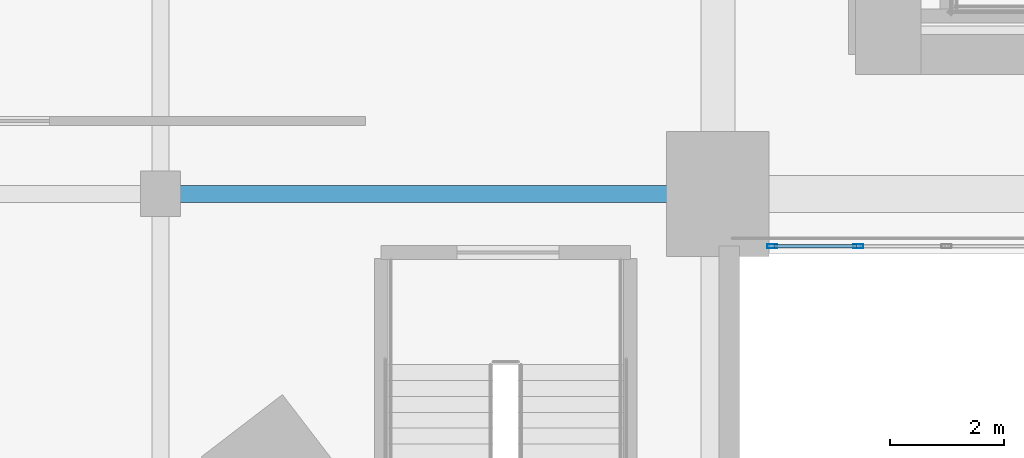
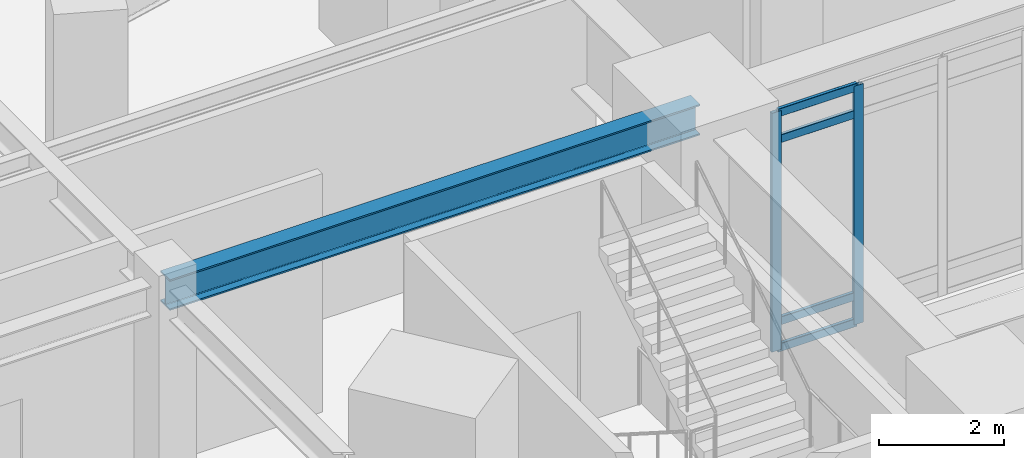
# One storey, part 2 of 25: 6 members, 1 beam, 1 element without a shape of its own.
"""IFC4 building model written with IfcOpenShell, lengths in metres."""

from ifc_helpers import new_model, si_unit, direction, frame, origin, origin_2d, place, context, subcontext, project, spatial, hollow_rectangle, i_section, extrude, material, layer, layer_set, material_profile, profile_set, type_object, element, aggregate, save


model = new_model("IFC4")

# Units and contexts
model_context = context("Model", 3, precision=1e-05, world=origin(), true_north=direction((0.0, 1.0)))
body_context = subcontext(model_context, "Body", "Model", "MODEL_VIEW")
ifc_project = project(units=[si_unit("LENGTHUNIT", "METRE"), si_unit("AREAUNIT", "SQUARE_METRE"), si_unit("VOLUMEUNIT", "CUBIC_METRE"), si_unit("PLANEANGLEUNIT", "RADIAN"), si_unit("MASSUNIT", "GRAM", prefix="KILO")], contexts=[model_context])

# Site, building, storey
site_placement = place(None, origin())
site = spatial("IfcSite", under=ifc_project, at=site_placement, CompositionType="ELEMENT")
building_placement = place(site_placement, origin())
building = spatial("IfcBuilding", under=site, at=building_placement, Name="Ndelora Gate Hotel", CompositionType="ELEMENT")
storey_placement = place(building_placement, frame((0.0, 0.0, 11.0)))
storey = spatial("IfcBuildingStorey", under=building, at=storey_placement, Name="L02", CompositionType="ELEMENT", Elevation=11.0)

# Beam
ifc_material_1 = material(Name="Steel S355", Category="steel")
ifc_material_profile_1 = material_profile(ifc_material_1, i_section(OverallWidth=0.300048828125, OverallDepth=0.60009765625, WebThickness=0.015380859375, FlangeThickness=0.030029296875, FilletRadius=0.027099609375, at=origin_2d()), Name="HEB 600")
ifc_profile_set_1 = profile_set([ifc_material_profile_1], Name="Steel S355")
beam_type = type_object("IfcBeamType", Name="BM-POD-600", PredefinedType="BEAM", material=ifc_profile_set_1)
beam_placement = place(storey_placement, frame((-20.800048828125, -9.39990234375, 4.360107421875), z_axis=(1.0, 0.0, 0.0), x_axis=(0.0, 1.0, 0.0)))
element("IfcBeam", 1, at=beam_placement, inside=storey, type_object=beam_type, Name="L02 Podium Transverse Girder Y=-9.4", PredefinedType="BEAM", context=body_context, shape_type="SweptSolid", body=[
    extrude(i_section(OverallWidth=0.300048828125, OverallDepth=0.60009765625, WebThickness=0.015380859375, FlangeThickness=0.030029296875, FilletRadius=0.027099609375, at=origin_2d()), origin(), (0.0, 0.0, 1.0), 9.800048828125),
])

# Curtain wall, members
ifc_material_2 = material(Name="Bronze Anodised Unitised Aluminium and Low-E Glass", Category="aluminium")
ifc_layer = layer(ifc_material_2, 0.239990234375)
ifc_layer_set = layer_set([ifc_layer], Name="Bronze Anodised Unitised Aluminium and Low-E Glass")
curtain_wall_type = type_object("IfcCurtainWallType", Name="CW-SYS-1", PredefinedType="NOTDEFINED", material=ifc_layer_set)
curtain_wall_placement = place(storey_placement, origin())
curtain_wall = element("IfcCurtainWall", 2, at=curtain_wall_placement, inside=storey, type_object=curtain_wall_type, Name="L02 South Portal Arch Concourse Curtain Wall CW1", PredefinedType="NOTDEFINED")
ifc_material_3 = material(Name="Bronze Anodised Aluminium 6063-T6", Category="aluminium")
ifc_material_profile_2 = material_profile(ifc_material_3, hollow_rectangle(XDim=0.070068359375, YDim=0.179931640625, WallThickness=0.0048828125, InnerFilletRadius=0.0048828125, OuterFilletRadius=0.010009765625, at=origin_2d()), Name="ALU 180x70x5")
ifc_profile_set_2 = profile_set([ifc_material_profile_2], Name="Bronze Anodised Aluminium 6063-T6")
member_type_1 = type_object("IfcMemberType", Name="MB-CW-MUL180", PredefinedType="MULLION", material=ifc_profile_set_2)
member_1_placement = place(storey_placement, frame((-10.044921875, -10.320068359375, -0.00390625), z_axis=(0.0, 0.0, 1.0), x_axis=(0.0, 1.0, 0.0)))
member_1 = element("IfcMember", 3, at=member_1_placement, type_object=member_type_1, Name="CW1 mullion 1", PredefinedType="MULLION", context=body_context, shape_type="SweptSolid", body=[
    extrude(hollow_rectangle(XDim=0.070068359375, YDim=0.179931640625, WallThickness=0.0048828125, InnerFilletRadius=0.0048828125, OuterFilletRadius=0.010009765625, at=origin_2d()), origin(), (0.0, 0.0, 1.0), 4.66796875),
])
member_2_placement = place(storey_placement, frame((-8.529296875, -10.320068359375, -0.00390625), z_axis=(0.0, 0.0, 1.0), x_axis=(0.0, 1.0, 0.0)))
member_2 = element("IfcMember", 4, at=member_2_placement, type_object=member_type_1, Name="CW1 mullion 2", PredefinedType="MULLION", context=body_context, shape_type="SweptSolid", body=[
    extrude(hollow_rectangle(XDim=0.070068359375, YDim=0.179931640625, WallThickness=0.0048828125, InnerFilletRadius=0.0048828125, OuterFilletRadius=0.010009765625, at=origin_2d()), origin(), (0.0, 0.0, 1.0), 4.66796875),
])
ifc_material_profile_3 = material_profile(ifc_material_3, hollow_rectangle(XDim=0.06494140625, YDim=0.159912109375, WallThickness=0.00390625, InnerFilletRadius=0.00390625, OuterFilletRadius=0.008056640625, at=origin_2d()), Name="ALU 160x65x4")
ifc_profile_set_3 = profile_set([ifc_material_profile_3], Name="Bronze Anodised Aluminium 6063-T6")
member_type_2 = type_object("IfcMemberType", Name="MB-CW-TRN150", PredefinedType="USERDEFINED", material=ifc_profile_set_3)
member_3_placement = place(storey_placement, frame((-10.01611328125, -10.320068359375, 0.032470703125), z_axis=(1.0, 0.0, 0.0), x_axis=(0.0, 1.0, 0.0)))
member_3 = element("IfcMember", 5, at=member_3_placement, type_object=member_type_2, Name="CW1 transom 1.1", ObjectType="TRANSOM", PredefinedType="USERDEFINED", context=body_context, shape_type="SweptSolid", body=[
    extrude(hollow_rectangle(XDim=0.06494140625, YDim=0.159912109375, WallThickness=0.00390625, InnerFilletRadius=0.00390625, OuterFilletRadius=0.008056640625, at=origin_2d()), origin(), (0.0, 0.0, 1.0), 1.457763671875),
])
member_4_placement = place(storey_placement, frame((-10.01611328125, -10.320068359375, 0.550048828125), z_axis=(1.0, 0.0, 0.0), x_axis=(0.0, 1.0, 0.0)))
member_4 = element("IfcMember", 6, at=member_4_placement, type_object=member_type_2, Name="CW1 transom 1.2", ObjectType="TRANSOM", PredefinedType="USERDEFINED", context=body_context, shape_type="SweptSolid", body=[
    extrude(hollow_rectangle(XDim=0.06494140625, YDim=0.159912109375, WallThickness=0.00390625, InnerFilletRadius=0.00390625, OuterFilletRadius=0.008056640625, at=origin_2d()), origin(), (0.0, 0.0, 1.0), 1.457763671875),
])
member_5_placement = place(storey_placement, frame((-10.01611328125, -10.320068359375, 4.110107421875), z_axis=(1.0, 0.0, 0.0), x_axis=(0.0, 1.0, 0.0)))
member_5 = element("IfcMember", 7, at=member_5_placement, type_object=member_type_2, Name="CW1 transom 1.3", ObjectType="TRANSOM", PredefinedType="USERDEFINED", context=body_context, shape_type="SweptSolid", body=[
    extrude(hollow_rectangle(XDim=0.06494140625, YDim=0.159912109375, WallThickness=0.00390625, InnerFilletRadius=0.00390625, OuterFilletRadius=0.008056640625, at=origin_2d()), origin(), (0.0, 0.0, 1.0), 1.457763671875),
])
member_6_placement = place(storey_placement, frame((-10.01611328125, -10.320068359375, 4.62744140625), z_axis=(1.0, 0.0, 0.0), x_axis=(0.0, 1.0, 0.0)))
member_6 = element("IfcMember", 8, at=member_6_placement, type_object=member_type_2, Name="CW1 transom 1.4", ObjectType="TRANSOM", PredefinedType="USERDEFINED", context=body_context, shape_type="SweptSolid", body=[
    extrude(hollow_rectangle(XDim=0.06494140625, YDim=0.159912109375, WallThickness=0.00390625, InnerFilletRadius=0.00390625, OuterFilletRadius=0.008056640625, at=origin_2d()), origin(), (0.0, 0.0, 1.0), 1.457763671875),
])
aggregate(curtain_wall, [member_1, member_2, member_3, member_4, member_5, member_6])

save(model, "model.ifc")
